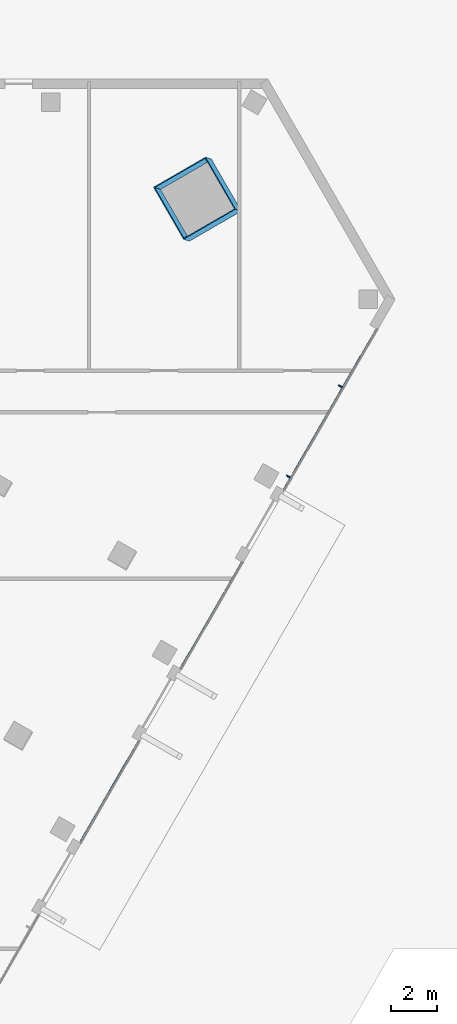
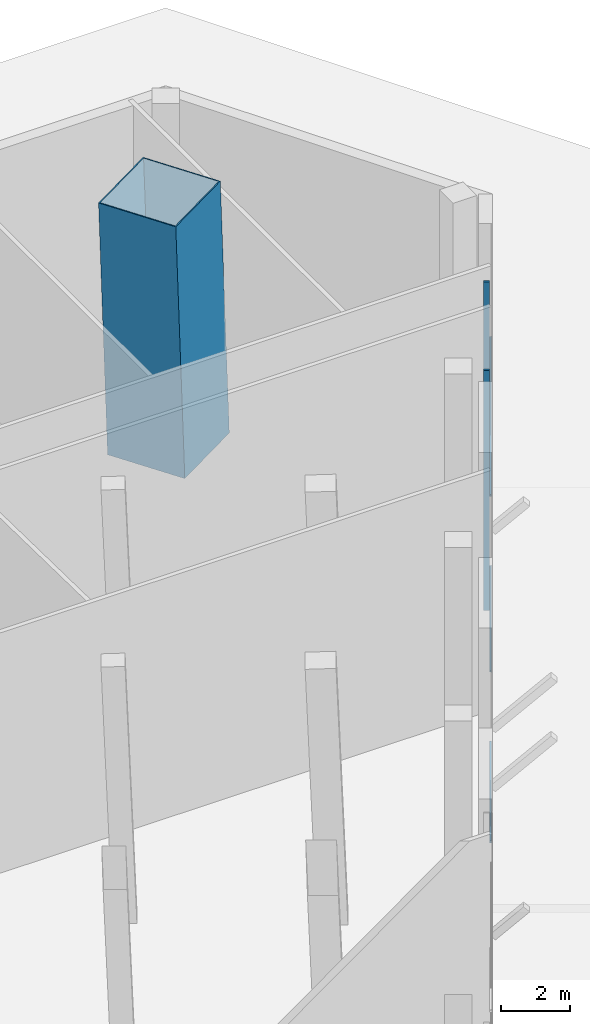
# One storey, part 5 of 21: 6 members, 3 elements without a shape of their own.
"""IFC4 building model written with IfcOpenShell, lengths in metres."""

import ifcopenshell
import ifcopenshell.guid

model = None  # the IFC model being written
_history = None  # IfcOwnerHistory: only IFC2X3 demands one
_inside = {}  # id of a spatial element -> (the spatial element, [elements in it])
_under = {}  # id of a project, library or spatial element -> (it, [spatial elements below it])
_declared = {}  # id of a project -> (the project, [libraries it declares])
_typed = {}  # id of a type object -> (the type object, [elements of that type])
_made_of = {}  # id of a material, layer set ... -> (it, [elements and type objects made of it])


def new_model(schema):
    """Start an empty IFC model of exactly this schema.

    Asked for "IFC4X3", IfcOpenShell would pick the latest addendum, in which some entities
    have other attributes; the version numbers below select the first issue.
    IFC2X3 requires an IfcOwnerHistory on every rooted entity: one is made here for all.
    """
    global model, _history
    if schema == "IFC4X3":
        model = ifcopenshell.file(schema_version=(4, 3, 0, 0))
    else:
        model = ifcopenshell.file(schema=schema)
    _inside.clear()
    _under.clear()
    _declared.clear()
    _typed.clear()
    _made_of.clear()
    _history = None
    if model.schema == "IFC2X3":
        org = make("IfcOrganization", Name="unknown")
        user = make(
            "IfcPersonAndOrganization",
            ThePerson=make("IfcPerson", FamilyName="unknown"),
            TheOrganization=org,
        )
        app = make(
            "IfcApplication",
            ApplicationDeveloper=org,
            Version="unknown",
            ApplicationFullName="unknown",
            ApplicationIdentifier="unknown",
        )
        _history = make(
            "IfcOwnerHistory",
            OwningUser=user,
            OwningApplication=app,
            ChangeAction="ADDED",
            CreationDate=0,
        )
    return model


def make(cls, **values):
    """One entity of the class cls with the attributes given. An attribute that is None is left unset."""
    return model.create_entity(
        cls, **{name: value for name, value in values.items() if value is not None}
    )


def rooted(cls, **values):
    """An entity with a GlobalId (a new one), such as an element, a storey or a relation."""
    return make(cls, GlobalId=ifcopenshell.guid.new(), OwnerHistory=_history, **values)


def si_unit(unit_type, name, prefix=None):
    """IfcSIUnit, for example si_unit("LENGTHUNIT", "METRE", prefix="MILLI")."""
    return make("IfcSIUnit", UnitType=unit_type, Prefix=prefix, Name=name)


def assignment(units):
    """IfcUnitAssignment: the units of a project."""
    return None if units is None else make("IfcUnitAssignment", Units=units)


def point(xyz):
    """IfcCartesianPoint."""
    return None if xyz is None else make("IfcCartesianPoint", Coordinates=xyz)


def direction(xyz):
    """IfcDirection."""
    return None if xyz is None else make("IfcDirection", DirectionRatios=xyz)


def frame(location, z_axis=None, x_axis=None):
    """IfcAxis2Placement3D, a coordinate frame: its origin and axes. An axis left out is left unset."""
    return make(
        "IfcAxis2Placement3D",
        Location=point(location),
        Axis=direction(z_axis),
        RefDirection=direction(x_axis),
    )


def frame_2d(location, x_axis=None):
    """IfcAxis2Placement2D, a coordinate frame in the plane: its origin and x axis."""
    return make(
        "IfcAxis2Placement2D", Location=point(location), RefDirection=direction(x_axis)
    )


def origin():
    """The frame at (0, 0, 0) with its axes left unset."""
    return frame((0.0, 0.0, 0.0))


def origin_2d():
    """The frame at (0, 0) in the plane with its x axis left unset."""
    return frame_2d((0.0, 0.0))


def place(relative_to, where):
    """IfcLocalPlacement: puts the frame where relative to a parent placement (None: the world)."""
    return make(
        "IfcLocalPlacement", PlacementRelTo=relative_to, RelativePlacement=where
    )


def context(
    kind, dimensions, precision=None, world=None, true_north=None, identifier=None
):
    """IfcGeometricRepresentationContext, for example the 3D "Model" context."""
    return make(
        "IfcGeometricRepresentationContext",
        ContextIdentifier=identifier,
        ContextType=kind,
        CoordinateSpaceDimension=dimensions,
        Precision=precision,
        WorldCoordinateSystem=world,
        TrueNorth=true_north,
    )


def subcontext(parent, identifier, kind, view, scale=None):
    """IfcGeometricRepresentationSubContext, for example "Body" below "Model"."""
    return make(
        "IfcGeometricRepresentationSubContext",
        ContextIdentifier=identifier,
        ContextType=kind,
        ParentContext=parent,
        TargetScale=scale,
        TargetView=view,
    )


def project(units=None, contexts=None):
    """IfcProject with its units and contexts."""
    return rooted(
        "IfcProject",
        Name="project",
        RepresentationContexts=contexts,
        UnitsInContext=assignment(units),
    )


def spatial(cls, under=None, at=None, **own):
    """A site, building, storey or space (cls), placed at a placement, below another one or the project."""
    s = rooted(cls, ObjectPlacement=at, **own)
    if under is not None:
        _under.setdefault(under.id(), (under, []))[1].append(s)
    return s


def profile(cls, at=None, kind="AREA", **sizes):
    """A parametric profile (cls). Its sizes go by their IFC names, for example OverallWidth=200.0."""
    return make(cls, ProfileType=kind, Position=at, **sizes)


def rectangle(**sizes):
    """IfcRectangleProfileDef."""
    return profile("IfcRectangleProfileDef", **sizes)


def hollow_rectangle(**sizes):
    """IfcRectangleHollowProfileDef."""
    return profile("IfcRectangleHollowProfileDef", **sizes)


def extrude(swept, where, along, depth):
    """IfcExtrudedAreaSolid: the profile swept, set in the frame where, extruded along a direction by depth."""
    return make(
        "IfcExtrudedAreaSolid",
        SweptArea=swept,
        Position=where,
        ExtrudedDirection=direction(along),
        Depth=depth,
    )


def shape(context_of_items, identifier, shape_type, items):
    """IfcShapeRepresentation: the items that make up one representation, for example the "Body"."""
    return make(
        "IfcShapeRepresentation",
        ContextOfItems=context_of_items,
        RepresentationIdentifier=identifier,
        RepresentationType=shape_type,
        Items=items,
    )


def material(Name=None, Category=None):
    """IfcMaterial."""
    return make("IfcMaterial", Name=Name, Category=Category)


def layer(
    of_material, thickness, ventilated=None, Name=None, Category=None, Priority=None
):
    """IfcMaterialLayer: one layer of a wall or slab, of a material (None: an air gap)."""
    return make(
        "IfcMaterialLayer",
        Material=of_material,
        LayerThickness=thickness,
        IsVentilated=ventilated,
        Name=Name,
        Category=Category,
        Priority=Priority,
    )


def layer_set(layers, Name=None):
    """IfcMaterialLayerSet."""
    return make("IfcMaterialLayerSet", MaterialLayers=layers, LayerSetName=Name)


def material_profile(
    of_material, cross_section, Name=None, Category=None, Priority=None
):
    """IfcMaterialProfile: a cross section and its material."""
    return make(
        "IfcMaterialProfile",
        Name=Name,
        Material=of_material,
        Profile=cross_section,
        Priority=Priority,
        Category=Category,
    )


def profile_set(profiles, Name=None, composite=None):
    """IfcMaterialProfileSet."""
    return make(
        "IfcMaterialProfileSet",
        Name=Name,
        MaterialProfiles=profiles,
        CompositeProfile=composite,
    )


def made_of(thing, what):
    """Note that an element or type object is made of a material, layer set ...; save() writes the relation."""
    if what is not None:
        _made_of.setdefault(what.id(), (what, []))[1].append(thing)
    return thing


def type_object(cls, material=None, **own):
    """A type object (cls), such as IfcWallType, which elements share."""
    return made_of(rooted(cls, **own), material)


def element(
    cls,
    number,
    at=None,
    inside=None,
    cuts=None,
    type_object=None,
    material=None,
    context=None,
    identifier="Body",
    shape_type=None,
    held_by="IfcProductDefinitionShape",
    body=None,
    shapes=None,
    **own,
):
    """One element of the class cls, such as IfcWall. Its Tag is "e" and its number.

    at: its placement. inside: the storey or other place that contains it. cuts: it is an
    opening in that element (IfcRelVoidsElement). A single representation is given by context,
    identifier, shape_type and body (its items); several are given by shapes. held_by: the class
    of the entity that holds the representations. save() writes the other relations.
    """
    e = rooted(cls, Tag="e%d" % number, ObjectPlacement=at, **own)
    if body is not None:
        shapes = [shape(context, identifier, shape_type, body)]
    if shapes is not None:
        e.Representation = make(held_by, Representations=shapes)
    if inside is not None:
        _inside.setdefault(inside.id(), (inside, []))[1].append(e)
    if cuts is not None:
        rooted(
            "IfcRelVoidsElement", RelatingBuildingElement=cuts, RelatedOpeningElement=e
        )
    if type_object is not None:
        _typed.setdefault(type_object.id(), (type_object, []))[1].append(e)
    return made_of(e, material)


def aggregate(whole, parts):
    """IfcRelAggregates: a whole, such as a stair, and the parts it consists of."""
    return rooted("IfcRelAggregates", RelatingObject=whole, RelatedObjects=parts)


def save(model, path):
    """Write the relations noted so far, then the file.

    IfcRelAggregates (storeys below a building ...), IfcRelContainedInSpatialStructure (elements
    in a storey), IfcRelDefinesByType, IfcRelAssociatesMaterial and IfcRelDeclares: one each for
    every whole, place, type object, material and project.
    """
    for whole, parts in _under.values():
        aggregate(whole, parts)
    for where, things in _inside.values():
        rooted(
            "IfcRelContainedInSpatialStructure",
            RelatedElements=things,
            RelatingStructure=where,
        )
    for kind, things in _typed.values():
        rooted("IfcRelDefinesByType", RelatedObjects=things, RelatingType=kind)
    for what, things in _made_of.values():
        rooted("IfcRelAssociatesMaterial", RelatedObjects=things, RelatingMaterial=what)
    for by, libraries in _declared.values():
        rooted("IfcRelDeclares", RelatingContext=by, RelatedDefinitions=libraries)
    model.write(path)


model = new_model("IFC4")

# Units and contexts
model_context = context("Model", 3, precision=1e-05, world=origin(), true_north=direction((0.0, 1.0)))
body_context = subcontext(model_context, "Body", "Model", "MODEL_VIEW")
ifc_project = project(units=[si_unit("LENGTHUNIT", "METRE"), si_unit("AREAUNIT", "SQUARE_METRE"), si_unit("VOLUMEUNIT", "CUBIC_METRE"), si_unit("PLANEANGLEUNIT", "RADIAN"), si_unit("MASSUNIT", "GRAM", prefix="KILO")], contexts=[model_context])

# Site, building, storey
site_placement = place(None, origin())
site = spatial("IfcSite", under=ifc_project, at=site_placement, CompositionType="ELEMENT")
building_placement = place(site_placement, origin())
building = spatial("IfcBuilding", under=site, at=building_placement, Name="Altiplano Prism Tower", CompositionType="ELEMENT")
storey_placement = place(building_placement, origin())
storey = spatial("IfcBuildingStorey", under=building, at=storey_placement, Name="L00", CompositionType="ELEMENT", Elevation=0.0)

# Curtain wall, members
ifc_material_1 = material(Name="Aluminium and glass", Category="aluminium")
ifc_layer = layer(ifc_material_1, 0.261962890625)
ifc_layer_set = layer_set([ifc_layer], Name="Aluminium and glass")
curtain_wall_type = type_object("IfcCurtainWallType", Name="CW4 concourse and street shopfront", PredefinedType="NOTDEFINED", material=ifc_layer_set)
curtain_wall_1_placement = place(storey_placement, origin())
curtain_wall_1 = element("IfcCurtainWall", 1, at=curtain_wall_1_placement, inside=storey, type_object=curtain_wall_type, Name="CW4 shopfront south-east face L00", PredefinedType="NOTDEFINED")
ifc_material_2 = material(Name="Aluminium", Category="aluminium")
ifc_material_profile_1 = material_profile(ifc_material_2, rectangle(XDim=0.179931640625, YDim=0.06005859375, at=origin_2d()), Name="CW4 mullion 60 x 180")
ifc_profile_set_1 = profile_set([ifc_material_profile_1], Name="Aluminium")
member_type_1 = type_object("IfcMemberType", Name="CW4 mullion 60 x 180", PredefinedType="MULLION", material=ifc_profile_set_1)
member_1_placement = place(storey_placement, frame((117.318603515625, 87.821533203125, 0.0), z_axis=(0.0, 0.0, 1.0), x_axis=(-0.866025405818, 0.499999996478, 0.0)))
member_1 = element("IfcMember", 2, at=member_1_placement, type_object=member_type_1, Name="CW4 mullion", PredefinedType="MULLION", context=body_context, shape_type="SweptSolid", body=[
    extrude(rectangle(XDim=0.179931640625, YDim=0.06005859375, at=origin_2d()), origin(), (0.0, 0.0, 1.0), 8.550048828125),
])
member_2_placement = place(storey_placement, frame((119.568603515625, 91.71875, 0.0), z_axis=(0.0, 0.0, 1.0), x_axis=(-0.866025405818, 0.499999996478, 0.0)))
member_2 = element("IfcMember", 3, at=member_2_placement, type_object=member_type_1, Name="CW4 mullion", PredefinedType="MULLION", context=body_context, shape_type="SweptSolid", body=[
    extrude(rectangle(XDim=0.179931640625, YDim=0.06005859375, at=origin_2d()), origin(), (0.0, 0.0, 1.0), 8.550048828125),
])

# Curtain wall, member
curtain_wall_2_placement = place(storey_placement, origin())
curtain_wall_2 = element("IfcCurtainWall", 4, at=curtain_wall_2_placement, inside=storey, type_object=curtain_wall_type, Name="CW4 shopfront south-east face L00", PredefinedType="NOTDEFINED")
ifc_material_profile_2 = material_profile(ifc_material_2, rectangle(XDim=0.050048828125, YDim=0.06005859375, at=origin_2d()), Name="CW4 transom 60 x 50")
ifc_profile_set_2 = profile_set([ifc_material_profile_2], Name="Aluminium")
member_type_2 = type_object("IfcMemberType", Name="CW4 transom 60 x 50", PredefinedType="USERDEFINED", material=ifc_profile_set_2)
member_3_placement = place(storey_placement, frame((108.309814453125, 71.988037109375, 4.5), z_axis=(0.500026150919, 0.866010305018, 0.0), x_axis=(-0.866010305018, 0.500026150919, 0.0)))
member_3 = element("IfcMember", 5, at=member_3_placement, type_object=member_type_2, Name="CW4 transom", ObjectType="TRANSOM", PredefinedType="USERDEFINED", context=body_context, shape_type="SweptSolid", body=[
    extrude(rectangle(XDim=0.050048828125, YDim=0.06005859375, at=origin_2d()), origin(), (0.0, 0.0, 1.0), 5.079833984375),
])
aggregate(curtain_wall_2, [member_3])

curtain_wall_3_placement = place(storey_placement, origin())
curtain_wall_3 = element("IfcCurtainWall", 6, at=curtain_wall_3_placement, inside=storey, type_object=curtain_wall_type, Name="CW4 shopfront south-east face L00", PredefinedType="NOTDEFINED")
member_4_placement = place(storey_placement, frame((112.649658203125, 79.5048828125, 4.5), z_axis=(0.500040991749, 0.866001735894, 0.0), x_axis=(-0.866001735894, 0.500040991749, 0.0)))
member_4 = element("IfcMember", 7, at=member_4_placement, type_object=member_type_2, Name="CW4 transom", ObjectType="TRANSOM", PredefinedType="USERDEFINED", context=body_context, shape_type="SweptSolid", body=[
    extrude(rectangle(XDim=0.050048828125, YDim=0.06005859375, at=origin_2d()), origin(), (0.0, 0.0, 1.0), 5.32958984375),
])
aggregate(curtain_wall_3, [member_4])

# Member
member_5_placement = place(storey_placement, frame((117.114501953125, 87.238037109375, 4.5), z_axis=(0.500017625206, 0.866015227628, 0.0), x_axis=(-0.866015227628, 0.500017625206, 0.0)))
member_5 = element("IfcMember", 8, at=member_5_placement, type_object=member_type_2, Name="CW4 transom", ObjectType="TRANSOM", PredefinedType="USERDEFINED", context=body_context, shape_type="SweptSolid", body=[
    extrude(rectangle(XDim=0.050048828125, YDim=0.06005859375, at=origin_2d()), origin(), (0.0, 0.0, 1.0), 8.042724609375),
])

aggregate(curtain_wall_1, [member_1, member_2, member_5])

ifc_material_3 = material(Name="Steel S460", Category="steel")
ifc_material_profile_3 = material_profile(ifc_material_3, hollow_rectangle(XDim=2.60009765625, YDim=2.60009765625, WallThickness=0.0400390625, at=origin_2d()), Name="Mega column tube 2600")
ifc_profile_set_3 = profile_set([ifc_material_profile_3], Name="Steel S460")
member_type_3 = type_object("IfcMemberType", Name="Mega column tube 2600", PredefinedType="POST", material=ifc_profile_set_3)
member_6_placement = place(storey_placement, frame((113.51416015625, 99.77001953125, 0.0), z_axis=(-0.028389030864, 0.009246093147, 0.999554186969), x_axis=(0.499888549291, -0.86580500504, 0.022206565154)))
element("IfcMember", 9, at=member_6_placement, inside=storey, type_object=member_type_3, Name="Mega column tube M2 L00", PredefinedType="POST", context=body_context, shape_type="SweptSolid", body=[
    extrude(hollow_rectangle(XDim=2.60009765625, YDim=2.60009765625, WallThickness=0.0400390625, at=origin_2d()), origin(), (0.0, 0.0, 1.0), 9.00390625),
])

save(model, "model.ifc")
